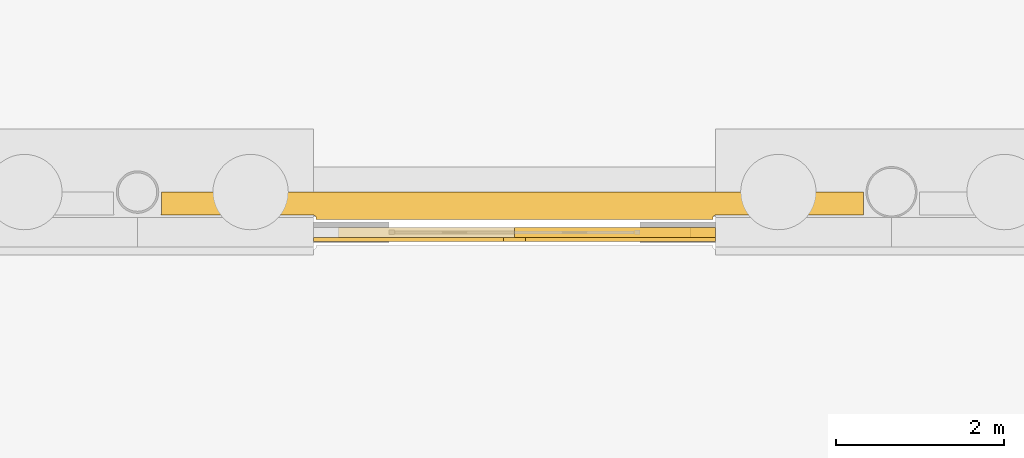
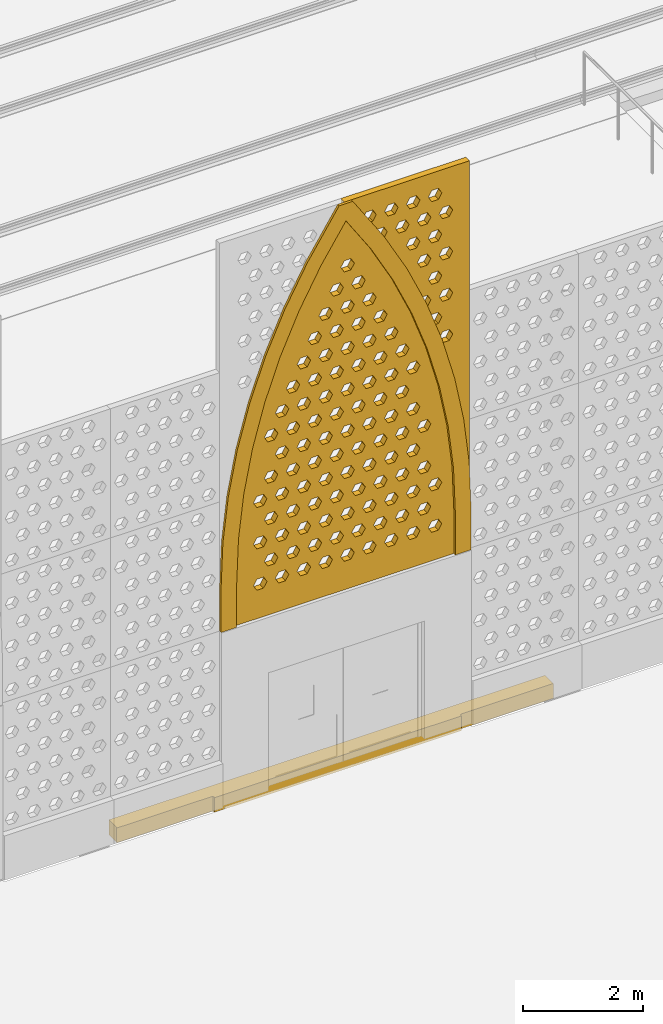
# One storey, part 210 of 250: 2 coverings, 2 shading devices.
"""IFC4 building model written with IfcOpenShell, lengths in metres."""

import ifcopenshell
import ifcopenshell.guid

model = None  # the IFC model being written
_history = None  # IfcOwnerHistory: only IFC2X3 demands one
_inside = {}  # id of a spatial element -> (the spatial element, [elements in it])
_under = {}  # id of a project, library or spatial element -> (it, [spatial elements below it])
_declared = {}  # id of a project -> (the project, [libraries it declares])
_typed = {}  # id of a type object -> (the type object, [elements of that type])
_made_of = {}  # id of a material, layer set ... -> (it, [elements and type objects made of it])


def new_model(schema):
    """Start an empty IFC model of exactly this schema.

    Asked for "IFC4X3", IfcOpenShell would pick the latest addendum, in which some entities
    have other attributes; the version numbers below select the first issue.
    IFC2X3 requires an IfcOwnerHistory on every rooted entity: one is made here for all.
    """
    global model, _history
    if schema == "IFC4X3":
        model = ifcopenshell.file(schema_version=(4, 3, 0, 0))
    else:
        model = ifcopenshell.file(schema=schema)
    _inside.clear()
    _under.clear()
    _declared.clear()
    _typed.clear()
    _made_of.clear()
    _history = None
    if model.schema == "IFC2X3":
        org = make("IfcOrganization", Name="unknown")
        user = make(
            "IfcPersonAndOrganization",
            ThePerson=make("IfcPerson", FamilyName="unknown"),
            TheOrganization=org,
        )
        app = make(
            "IfcApplication",
            ApplicationDeveloper=org,
            Version="unknown",
            ApplicationFullName="unknown",
            ApplicationIdentifier="unknown",
        )
        _history = make(
            "IfcOwnerHistory",
            OwningUser=user,
            OwningApplication=app,
            ChangeAction="ADDED",
            CreationDate=0,
        )
    return model


def make(cls, **values):
    """One entity of the class cls with the attributes given. An attribute that is None is left unset."""
    return model.create_entity(
        cls, **{name: value for name, value in values.items() if value is not None}
    )


def rooted(cls, **values):
    """An entity with a GlobalId (a new one), such as an element, a storey or a relation."""
    return make(cls, GlobalId=ifcopenshell.guid.new(), OwnerHistory=_history, **values)


def si_unit(unit_type, name, prefix=None):
    """IfcSIUnit, for example si_unit("LENGTHUNIT", "METRE", prefix="MILLI")."""
    return make("IfcSIUnit", UnitType=unit_type, Prefix=prefix, Name=name)


def assignment(units):
    """IfcUnitAssignment: the units of a project."""
    return None if units is None else make("IfcUnitAssignment", Units=units)


def point(xyz):
    """IfcCartesianPoint."""
    return None if xyz is None else make("IfcCartesianPoint", Coordinates=xyz)


def direction(xyz):
    """IfcDirection."""
    return None if xyz is None else make("IfcDirection", DirectionRatios=xyz)


def frame(location, z_axis=None, x_axis=None):
    """IfcAxis2Placement3D, a coordinate frame: its origin and axes. An axis left out is left unset."""
    return make(
        "IfcAxis2Placement3D",
        Location=point(location),
        Axis=direction(z_axis),
        RefDirection=direction(x_axis),
    )


def origin():
    """The frame at (0, 0, 0) with its axes left unset."""
    return frame((0.0, 0.0, 0.0))


def place(relative_to, where):
    """IfcLocalPlacement: puts the frame where relative to a parent placement (None: the world)."""
    return make(
        "IfcLocalPlacement", PlacementRelTo=relative_to, RelativePlacement=where
    )


def context(
    kind, dimensions, precision=None, world=None, true_north=None, identifier=None
):
    """IfcGeometricRepresentationContext, for example the 3D "Model" context."""
    return make(
        "IfcGeometricRepresentationContext",
        ContextIdentifier=identifier,
        ContextType=kind,
        CoordinateSpaceDimension=dimensions,
        Precision=precision,
        WorldCoordinateSystem=world,
        TrueNorth=true_north,
    )


def subcontext(parent, identifier, kind, view, scale=None):
    """IfcGeometricRepresentationSubContext, for example "Body" below "Model"."""
    return make(
        "IfcGeometricRepresentationSubContext",
        ContextIdentifier=identifier,
        ContextType=kind,
        ParentContext=parent,
        TargetScale=scale,
        TargetView=view,
    )


def project(units=None, contexts=None):
    """IfcProject with its units and contexts."""
    return rooted(
        "IfcProject",
        Name="project",
        RepresentationContexts=contexts,
        UnitsInContext=assignment(units),
    )


def spatial(cls, under=None, at=None, **own):
    """A site, building, storey or space (cls), placed at a placement, below another one or the project."""
    s = rooted(cls, ObjectPlacement=at, **own)
    if under is not None:
        _under.setdefault(under.id(), (under, []))[1].append(s)
    return s


def polyline(points):
    """IfcPolyline through the points."""
    return make("IfcPolyline", Points=[point(p) for p in points])


def outline(outer, holes=None, kind="AREA"):
    """IfcArbitraryClosedProfileDef: a profile drawn as a closed curve; with holes, ...WithVoids."""
    if holes is None:
        return make("IfcArbitraryClosedProfileDef", ProfileType=kind, OuterCurve=outer)
    return make(
        "IfcArbitraryProfileDefWithVoids",
        ProfileType=kind,
        OuterCurve=outer,
        InnerCurves=holes,
    )


def extrude(swept, where, along, depth):
    """IfcExtrudedAreaSolid: the profile swept, set in the frame where, extruded along a direction by depth."""
    return make(
        "IfcExtrudedAreaSolid",
        SweptArea=swept,
        Position=where,
        ExtrudedDirection=direction(along),
        Depth=depth,
    )


def shape(context_of_items, identifier, shape_type, items):
    """IfcShapeRepresentation: the items that make up one representation, for example the "Body"."""
    return make(
        "IfcShapeRepresentation",
        ContextOfItems=context_of_items,
        RepresentationIdentifier=identifier,
        RepresentationType=shape_type,
        Items=items,
    )


def material(Name=None, Category=None):
    """IfcMaterial."""
    return make("IfcMaterial", Name=Name, Category=Category)


def layer(
    of_material, thickness, ventilated=None, Name=None, Category=None, Priority=None
):
    """IfcMaterialLayer: one layer of a wall or slab, of a material (None: an air gap)."""
    return make(
        "IfcMaterialLayer",
        Material=of_material,
        LayerThickness=thickness,
        IsVentilated=ventilated,
        Name=Name,
        Category=Category,
        Priority=Priority,
    )


def layer_set(layers, Name=None):
    """IfcMaterialLayerSet."""
    return make("IfcMaterialLayerSet", MaterialLayers=layers, LayerSetName=Name)


def made_of(thing, what):
    """Note that an element or type object is made of a material, layer set ...; save() writes the relation."""
    if what is not None:
        _made_of.setdefault(what.id(), (what, []))[1].append(thing)
    return thing


def type_object(cls, material=None, **own):
    """A type object (cls), such as IfcWallType, which elements share."""
    return made_of(rooted(cls, **own), material)


def element(
    cls,
    number,
    at=None,
    inside=None,
    cuts=None,
    type_object=None,
    material=None,
    context=None,
    identifier="Body",
    shape_type=None,
    held_by="IfcProductDefinitionShape",
    body=None,
    shapes=None,
    **own,
):
    """One element of the class cls, such as IfcWall. Its Tag is "e" and its number.

    at: its placement. inside: the storey or other place that contains it. cuts: it is an
    opening in that element (IfcRelVoidsElement). A single representation is given by context,
    identifier, shape_type and body (its items); several are given by shapes. held_by: the class
    of the entity that holds the representations. save() writes the other relations.
    """
    e = rooted(cls, Tag="e%d" % number, ObjectPlacement=at, **own)
    if body is not None:
        shapes = [shape(context, identifier, shape_type, body)]
    if shapes is not None:
        e.Representation = make(held_by, Representations=shapes)
    if inside is not None:
        _inside.setdefault(inside.id(), (inside, []))[1].append(e)
    if cuts is not None:
        rooted(
            "IfcRelVoidsElement", RelatingBuildingElement=cuts, RelatedOpeningElement=e
        )
    if type_object is not None:
        _typed.setdefault(type_object.id(), (type_object, []))[1].append(e)
    return made_of(e, material)


def aggregate(whole, parts):
    """IfcRelAggregates: a whole, such as a stair, and the parts it consists of."""
    return rooted("IfcRelAggregates", RelatingObject=whole, RelatedObjects=parts)


def save(model, path):
    """Write the relations noted so far, then the file.

    IfcRelAggregates (storeys below a building ...), IfcRelContainedInSpatialStructure (elements
    in a storey), IfcRelDefinesByType, IfcRelAssociatesMaterial and IfcRelDeclares: one each for
    every whole, place, type object, material and project.
    """
    for whole, parts in _under.values():
        aggregate(whole, parts)
    for where, things in _inside.values():
        rooted(
            "IfcRelContainedInSpatialStructure",
            RelatedElements=things,
            RelatingStructure=where,
        )
    for kind, things in _typed.values():
        rooted("IfcRelDefinesByType", RelatedObjects=things, RelatingType=kind)
    for what, things in _made_of.values():
        rooted("IfcRelAssociatesMaterial", RelatedObjects=things, RelatingMaterial=what)
    for by, libraries in _declared.values():
        rooted("IfcRelDeclares", RelatingContext=by, RelatedDefinitions=libraries)
    model.write(path)


model = new_model("IFC4")

# Units and contexts
model_context = context("Model", 3, precision=1e-05, world=origin(), true_north=direction((0.0, 1.0)))
body_context = subcontext(model_context, "Body", "Model", "MODEL_VIEW")
ifc_project = project(units=[si_unit("LENGTHUNIT", "METRE"), si_unit("AREAUNIT", "SQUARE_METRE"), si_unit("VOLUMEUNIT", "CUBIC_METRE"), si_unit("PLANEANGLEUNIT", "RADIAN"), si_unit("MASSUNIT", "GRAM", prefix="KILO")], contexts=[model_context])

# Site, building, storey
site_placement = place(None, origin())
site = spatial("IfcSite", under=ifc_project, at=site_placement, CompositionType="ELEMENT")
building_placement = place(site_placement, origin())
building = spatial("IfcBuilding", under=site, at=building_placement, Name="Baradari Gate Terminus", CompositionType="ELEMENT")
storey_placement = place(building_placement, origin())
storey = spatial("IfcBuildingStorey", under=building, at=storey_placement, Name="L00", CompositionType="ELEMENT", Elevation=0.0)

# Covering
ifc_material_1 = material(Name="Laterite masonry", Category="masonry")
ifc_layer_1 = layer(ifc_material_1, 0.050048828125)
ifc_layer_set_1 = layer_set([ifc_layer_1], Name="Laterite masonry")
covering_type_1 = type_object("IfcCoveringType", Name="Arch ring RG-1 50", PredefinedType="CLADDING", material=ifc_layer_set_1)
covering_1_placement = place(storey_placement, frame((227.10009765625, 35.43505859375, 3.52490234375), z_axis=(0.0, 0.0, 1.0), x_axis=(1.0, 0.0, 0.0)))
element("IfcCovering", 1, at=covering_1_placement, inside=storey, type_object=covering_type_1, Name="Arch ring RG-1 SC08b", PredefinedType="CLADDING", context=body_context, shape_type="SweptSolid", body=[
    extrude(outline(polyline([(0.034423828125, 1.8046875), (0.0, 0.90576171875), (0.0, 0.0), (0.300048828125, 0.0), (0.300048828125, 0.900146484375), (0.333740234375, 1.78173828125), (0.435302734375, 2.658203125), (0.603515625, 3.5244140625), (0.837646484375, 4.375), (1.13623046875, 5.205322265625), (1.49755859375, 6.01025390625), (1.919677734375, 6.784912109375), (2.39990234375, 7.525146484375), (2.880126953125, 6.784912109375), (3.30224609375, 6.01025390625), (3.663818359375, 5.205322265625), (3.96240234375, 4.375), (4.196533203125, 3.5244140625), (4.36474609375, 2.658203125), (4.466064453125, 1.78173828125), (4.5, 0.900146484375), (4.5, 0.0), (4.800048828125, 0.0), (4.800048828125, 0.90576171875), (4.765380859375, 1.8046875), (4.66162109375, 2.7041015625), (4.48876953125, 3.5927734375), (4.24853515625, 4.4658203125), (3.942138671875, 5.317626953125), (3.5712890625, 6.1435546875), (3.13818359375, 6.9384765625), (2.530517578125, 7.875), (2.26953125, 7.875), (1.661865234375, 6.9384765625), (1.228759765625, 6.1435546875), (0.85791015625, 5.317626953125), (0.55126953125, 4.4658203125), (0.31103515625, 3.5927734375), (0.138427734375, 2.7041015625), (0.034423828125, 1.8046875)])), frame((0.0, 0.02490234375, 0.0), z_axis=(0.0, -1.0, 0.0), x_axis=(1.0, 0.0, 0.0)), (0.0, 0.0, 1.0), 0.050048828125),
])

# Shading devices
ifc_material_2 = material(Name="Concrete C50/60 precast", Category="concrete")
ifc_layer_2 = layer(ifc_material_2, 0.1201171875)
ifc_layer_set_2 = layer_set([ifc_layer_2], Name="Concrete C50/60 precast")
shading_device_type = type_object("IfcShadingDeviceType", Name="Jali screen panel JS-2 120", PredefinedType="SHUTTER", material=ifc_layer_set_2)
shading_device_1_placement = place(storey_placement, frame((227.39990234375, 35.52001953125, 3.52490234375), z_axis=(0.0, 0.0, 1.0), x_axis=(1.0, 0.0, 0.0)))
element("IfcShadingDevice", 2, at=shading_device_1_placement, inside=storey, type_object=shading_device_type, Name="Jali screen panel JS-2 SC08b arch A", PredefinedType="SHUTTER", context=body_context, shape_type="SweptSolid", body=[
    extrude(outline(polyline([(0.0, 0.900146484375), (0.0, 0.0), (4.199951171875, 0.0), (4.199951171875, 0.900146484375), (4.166259765625, 1.78173828125), (4.064697265625, 2.658203125), (3.896484375, 3.5244140625), (3.662353515625, 4.375), (3.36376953125, 5.205322265625), (3.00244140625, 6.01025390625), (2.580322265625, 6.784912109375), (2.10009765625, 7.525146484375), (1.619873046875, 6.784912109375), (1.19775390625, 6.01025390625), (0.836181640625, 5.205322265625), (0.53759765625, 4.375), (0.303466796875, 3.5244140625), (0.13525390625, 2.658203125), (0.033935546875, 1.78173828125), (0.0, 0.900146484375)]), holes=[polyline([(0.610107421875, 0.690185546875), (0.544921875, 0.57763671875), (0.4150390625, 0.57763671875), (0.35009765625, 0.690185546875), (0.4150390625, 0.802734375), (0.544921875, 0.802734375), (0.610107421875, 0.690185546875)]), polyline([(1.030029296875, 0.690185546875), (0.965087890625, 0.57763671875), (0.8349609375, 0.57763671875), (0.77001953125, 0.690185546875), (0.8349609375, 0.802734375), (0.965087890625, 0.802734375), (1.030029296875, 0.690185546875)]), polyline([(1.449951171875, 0.690185546875), (1.385009765625, 0.57763671875), (1.2548828125, 0.57763671875), (1.18994140625, 0.690185546875), (1.2548828125, 0.802734375), (1.385009765625, 0.802734375), (1.449951171875, 0.690185546875)]), polyline([(1.8701171875, 0.690185546875), (1.804931640625, 0.57763671875), (1.675048828125, 0.57763671875), (1.610107421875, 0.690185546875), (1.675048828125, 0.802734375), (1.804931640625, 0.802734375), (1.8701171875, 0.690185546875)]), polyline([(2.2900390625, 0.690185546875), (2.22509765625, 0.57763671875), (2.094970703125, 0.57763671875), (2.030029296875, 0.690185546875), (2.094970703125, 0.802734375), (2.22509765625, 0.802734375), (2.2900390625, 0.690185546875)]), polyline([(2.7099609375, 0.690185546875), (2.64501953125, 0.57763671875), (2.514892578125, 0.57763671875), (2.449951171875, 0.690185546875), (2.514892578125, 0.802734375), (2.64501953125, 0.802734375), (2.7099609375, 0.690185546875)]), polyline([(3.1298828125, 0.690185546875), (3.06494140625, 0.57763671875), (2.93505859375, 0.57763671875), (2.8701171875, 0.690185546875), (2.93505859375, 0.802734375), (3.06494140625, 0.802734375), (3.1298828125, 0.690185546875)]), polyline([(3.550048828125, 0.690185546875), (3.485107421875, 0.57763671875), (3.35498046875, 0.57763671875), (3.2900390625, 0.690185546875), (3.35498046875, 0.802734375), (3.485107421875, 0.802734375), (3.550048828125, 0.690185546875)]), polyline([(3.969970703125, 0.690185546875), (3.905029296875, 0.57763671875), (3.77490234375, 0.57763671875), (3.7099609375, 0.690185546875), (3.77490234375, 0.802734375), (3.905029296875, 0.802734375), (3.969970703125, 0.690185546875)]), polyline([(0.820068359375, 1.110107421875), (0.7548828125, 0.99755859375), (0.625, 0.99755859375), (0.56005859375, 1.110107421875), (0.625, 1.22265625), (0.7548828125, 1.22265625), (0.820068359375, 1.110107421875)]), polyline([(1.239990234375, 1.110107421875), (1.175048828125, 0.99755859375), (1.044921875, 0.99755859375), (0.97998046875, 1.110107421875), (1.044921875, 1.22265625), (1.175048828125, 1.22265625), (1.239990234375, 1.110107421875)]), polyline([(1.659912109375, 1.110107421875), (1.594970703125, 0.99755859375), (1.465087890625, 0.99755859375), (1.39990234375, 1.110107421875), (1.465087890625, 1.22265625), (1.594970703125, 1.22265625), (1.659912109375, 1.110107421875)]), polyline([(2.080078125, 1.110107421875), (2.014892578125, 0.99755859375), (1.885009765625, 0.99755859375), (1.820068359375, 1.110107421875), (1.885009765625, 1.22265625), (2.014892578125, 1.22265625), (2.080078125, 1.110107421875)]), polyline([(2.5, 1.110107421875), (2.43505859375, 0.99755859375), (2.304931640625, 0.99755859375), (2.239990234375, 1.110107421875), (2.304931640625, 1.22265625), (2.43505859375, 1.22265625), (2.5, 1.110107421875)]), polyline([(2.919921875, 1.110107421875), (2.85498046875, 0.99755859375), (2.72509765625, 0.99755859375), (2.659912109375, 1.110107421875), (2.72509765625, 1.22265625), (2.85498046875, 1.22265625), (2.919921875, 1.110107421875)]), polyline([(3.340087890625, 1.110107421875), (3.27490234375, 0.99755859375), (3.14501953125, 0.99755859375), (3.080078125, 1.110107421875), (3.14501953125, 1.22265625), (3.27490234375, 1.22265625), (3.340087890625, 1.110107421875)]), polyline([(3.760009765625, 1.110107421875), (3.695068359375, 0.99755859375), (3.56494140625, 0.99755859375), (3.5, 1.110107421875), (3.56494140625, 1.22265625), (3.695068359375, 1.22265625), (3.760009765625, 1.110107421875)]), polyline([(0.610107421875, 1.530029296875), (0.544921875, 1.41748046875), (0.4150390625, 1.41748046875), (0.35009765625, 1.530029296875), (0.4150390625, 1.642578125), (0.544921875, 1.642578125), (0.610107421875, 1.530029296875)]), polyline([(1.030029296875, 1.530029296875), (0.965087890625, 1.41748046875), (0.8349609375, 1.41748046875), (0.77001953125, 1.530029296875), (0.8349609375, 1.642578125), (0.965087890625, 1.642578125), (1.030029296875, 1.530029296875)]), polyline([(1.449951171875, 1.530029296875), (1.385009765625, 1.41748046875), (1.2548828125, 1.41748046875), (1.18994140625, 1.530029296875), (1.2548828125, 1.642578125), (1.385009765625, 1.642578125), (1.449951171875, 1.530029296875)]), polyline([(1.8701171875, 1.530029296875), (1.804931640625, 1.41748046875), (1.675048828125, 1.41748046875), (1.610107421875, 1.530029296875), (1.675048828125, 1.642578125), (1.804931640625, 1.642578125), (1.8701171875, 1.530029296875)]), polyline([(2.2900390625, 1.530029296875), (2.22509765625, 1.41748046875), (2.094970703125, 1.41748046875), (2.030029296875, 1.530029296875), (2.094970703125, 1.642578125), (2.22509765625, 1.642578125), (2.2900390625, 1.530029296875)]), polyline([(2.7099609375, 1.530029296875), (2.64501953125, 1.41748046875), (2.514892578125, 1.41748046875), (2.449951171875, 1.530029296875), (2.514892578125, 1.642578125), (2.64501953125, 1.642578125), (2.7099609375, 1.530029296875)]), polyline([(3.1298828125, 1.530029296875), (3.06494140625, 1.41748046875), (2.93505859375, 1.41748046875), (2.8701171875, 1.530029296875), (2.93505859375, 1.642578125), (3.06494140625, 1.642578125), (3.1298828125, 1.530029296875)]), polyline([(3.550048828125, 1.530029296875), (3.485107421875, 1.41748046875), (3.35498046875, 1.41748046875), (3.2900390625, 1.530029296875), (3.35498046875, 1.642578125), (3.485107421875, 1.642578125), (3.550048828125, 1.530029296875)]), polyline([(3.969970703125, 1.530029296875), (3.905029296875, 1.41748046875), (3.77490234375, 1.41748046875), (3.7099609375, 1.530029296875), (3.77490234375, 1.642578125), (3.905029296875, 1.642578125), (3.969970703125, 1.530029296875)]), polyline([(0.820068359375, 1.9501953125), (0.7548828125, 1.83740234375), (0.625, 1.83740234375), (0.56005859375, 1.9501953125), (0.625, 2.062744140625), (0.7548828125, 2.062744140625), (0.820068359375, 1.9501953125)]), polyline([(1.239990234375, 1.9501953125), (1.175048828125, 1.83740234375), (1.044921875, 1.83740234375), (0.97998046875, 1.9501953125), (1.044921875, 2.062744140625), (1.175048828125, 2.062744140625), (1.239990234375, 1.9501953125)]), polyline([(1.659912109375, 1.9501953125), (1.594970703125, 1.83740234375), (1.465087890625, 1.83740234375), (1.39990234375, 1.9501953125), (1.465087890625, 2.062744140625), (1.594970703125, 2.062744140625), (1.659912109375, 1.9501953125)]), polyline([(2.080078125, 1.9501953125), (2.014892578125, 1.83740234375), (1.885009765625, 1.83740234375), (1.820068359375, 1.9501953125), (1.885009765625, 2.062744140625), (2.014892578125, 2.062744140625), (2.080078125, 1.9501953125)]), polyline([(2.5, 1.9501953125), (2.43505859375, 1.83740234375), (2.304931640625, 1.83740234375), (2.239990234375, 1.9501953125), (2.304931640625, 2.062744140625), (2.43505859375, 2.062744140625), (2.5, 1.9501953125)]), polyline([(2.919921875, 1.9501953125), (2.85498046875, 1.83740234375), (2.72509765625, 1.83740234375), (2.659912109375, 1.9501953125), (2.72509765625, 2.062744140625), (2.85498046875, 2.062744140625), (2.919921875, 1.9501953125)]), polyline([(3.340087890625, 1.9501953125), (3.27490234375, 1.83740234375), (3.14501953125, 1.83740234375), (3.080078125, 1.9501953125), (3.14501953125, 2.062744140625), (3.27490234375, 2.062744140625), (3.340087890625, 1.9501953125)]), polyline([(3.760009765625, 1.9501953125), (3.695068359375, 1.83740234375), (3.56494140625, 1.83740234375), (3.5, 1.9501953125), (3.56494140625, 2.062744140625), (3.695068359375, 2.062744140625), (3.760009765625, 1.9501953125)]), polyline([(0.610107421875, 2.3701171875), (0.544921875, 2.257568359375), (0.4150390625, 2.257568359375), (0.35009765625, 2.3701171875), (0.4150390625, 2.482666015625), (0.544921875, 2.482666015625), (0.610107421875, 2.3701171875)]), polyline([(1.030029296875, 2.3701171875), (0.965087890625, 2.257568359375), (0.8349609375, 2.257568359375), (0.77001953125, 2.3701171875), (0.8349609375, 2.482666015625), (0.965087890625, 2.482666015625), (1.030029296875, 2.3701171875)]), polyline([(1.449951171875, 2.3701171875), (1.385009765625, 2.257568359375), (1.2548828125, 2.257568359375), (1.18994140625, 2.3701171875), (1.2548828125, 2.482666015625), (1.385009765625, 2.482666015625), (1.449951171875, 2.3701171875)]), polyline([(1.8701171875, 2.3701171875), (1.804931640625, 2.257568359375), (1.675048828125, 2.257568359375), (1.610107421875, 2.3701171875), (1.675048828125, 2.482666015625), (1.804931640625, 2.482666015625), (1.8701171875, 2.3701171875)]), polyline([(2.2900390625, 2.3701171875), (2.22509765625, 2.257568359375), (2.094970703125, 2.257568359375), (2.030029296875, 2.3701171875), (2.094970703125, 2.482666015625), (2.22509765625, 2.482666015625), (2.2900390625, 2.3701171875)]), polyline([(2.7099609375, 2.3701171875), (2.64501953125, 2.257568359375), (2.514892578125, 2.257568359375), (2.449951171875, 2.3701171875), (2.514892578125, 2.482666015625), (2.64501953125, 2.482666015625), (2.7099609375, 2.3701171875)]), polyline([(3.1298828125, 2.3701171875), (3.06494140625, 2.257568359375), (2.93505859375, 2.257568359375), (2.8701171875, 2.3701171875), (2.93505859375, 2.482666015625), (3.06494140625, 2.482666015625), (3.1298828125, 2.3701171875)]), polyline([(3.550048828125, 2.3701171875), (3.485107421875, 2.257568359375), (3.35498046875, 2.257568359375), (3.2900390625, 2.3701171875), (3.35498046875, 2.482666015625), (3.485107421875, 2.482666015625), (3.550048828125, 2.3701171875)]), polyline([(0.820068359375, 2.7900390625), (0.7548828125, 2.677490234375), (0.625, 2.677490234375), (0.56005859375, 2.7900390625), (0.625, 2.902587890625), (0.7548828125, 2.902587890625), (0.820068359375, 2.7900390625)]), polyline([(1.239990234375, 2.7900390625), (1.175048828125, 2.677490234375), (1.044921875, 2.677490234375), (0.97998046875, 2.7900390625), (1.044921875, 2.902587890625), (1.175048828125, 2.902587890625), (1.239990234375, 2.7900390625)]), polyline([(1.659912109375, 2.7900390625), (1.594970703125, 2.677490234375), (1.465087890625, 2.677490234375), (1.39990234375, 2.7900390625), (1.465087890625, 2.902587890625), (1.594970703125, 2.902587890625), (1.659912109375, 2.7900390625)]), polyline([(2.080078125, 2.7900390625), (2.014892578125, 2.677490234375), (1.885009765625, 2.677490234375), (1.820068359375, 2.7900390625), (1.885009765625, 2.902587890625), (2.014892578125, 2.902587890625), (2.080078125, 2.7900390625)]), polyline([(2.5, 2.7900390625), (2.43505859375, 2.677490234375), (2.304931640625, 2.677490234375), (2.239990234375, 2.7900390625), (2.304931640625, 2.902587890625), (2.43505859375, 2.902587890625), (2.5, 2.7900390625)]), polyline([(2.919921875, 2.7900390625), (2.85498046875, 2.677490234375), (2.72509765625, 2.677490234375), (2.659912109375, 2.7900390625), (2.72509765625, 2.902587890625), (2.85498046875, 2.902587890625), (2.919921875, 2.7900390625)]), polyline([(3.340087890625, 2.7900390625), (3.27490234375, 2.677490234375), (3.14501953125, 2.677490234375), (3.080078125, 2.7900390625), (3.14501953125, 2.902587890625), (3.27490234375, 2.902587890625), (3.340087890625, 2.7900390625)]), polyline([(3.760009765625, 2.7900390625), (3.695068359375, 2.677490234375), (3.56494140625, 2.677490234375), (3.5, 2.7900390625), (3.56494140625, 2.902587890625), (3.695068359375, 2.902587890625), (3.760009765625, 2.7900390625)]), polyline([(1.030029296875, 3.210205078125), (0.965087890625, 3.097412109375), (0.8349609375, 3.097412109375), (0.77001953125, 3.210205078125), (0.8349609375, 3.32275390625), (0.965087890625, 3.32275390625), (1.030029296875, 3.210205078125)]), polyline([(1.449951171875, 3.210205078125), (1.385009765625, 3.097412109375), (1.2548828125, 3.097412109375), (1.18994140625, 3.210205078125), (1.2548828125, 3.32275390625), (1.385009765625, 3.32275390625), (1.449951171875, 3.210205078125)]), polyline([(1.8701171875, 3.210205078125), (1.804931640625, 3.097412109375), (1.675048828125, 3.097412109375), (1.610107421875, 3.210205078125), (1.675048828125, 3.32275390625), (1.804931640625, 3.32275390625), (1.8701171875, 3.210205078125)]), polyline([(2.2900390625, 3.210205078125), (2.22509765625, 3.097412109375), (2.094970703125, 3.097412109375), (2.030029296875, 3.210205078125), (2.094970703125, 3.32275390625), (2.22509765625, 3.32275390625), (2.2900390625, 3.210205078125)]), polyline([(2.7099609375, 3.210205078125), (2.64501953125, 3.097412109375), (2.514892578125, 3.097412109375), (2.449951171875, 3.210205078125), (2.514892578125, 3.32275390625), (2.64501953125, 3.32275390625), (2.7099609375, 3.210205078125)]), polyline([(3.1298828125, 3.210205078125), (3.06494140625, 3.097412109375), (2.93505859375, 3.097412109375), (2.8701171875, 3.210205078125), (2.93505859375, 3.32275390625), (3.06494140625, 3.32275390625), (3.1298828125, 3.210205078125)]), polyline([(3.550048828125, 3.210205078125), (3.485107421875, 3.097412109375), (3.35498046875, 3.097412109375), (3.2900390625, 3.210205078125), (3.35498046875, 3.32275390625), (3.485107421875, 3.32275390625), (3.550048828125, 3.210205078125)]), polyline([(0.820068359375, 3.630126953125), (0.7548828125, 3.517578125), (0.625, 3.517578125), (0.56005859375, 3.630126953125), (0.625, 3.74267578125), (0.7548828125, 3.74267578125), (0.820068359375, 3.630126953125)]), polyline([(1.239990234375, 3.630126953125), (1.175048828125, 3.517578125), (1.044921875, 3.517578125), (0.97998046875, 3.630126953125), (1.044921875, 3.74267578125), (1.175048828125, 3.74267578125), (1.239990234375, 3.630126953125)]), polyline([(1.659912109375, 3.630126953125), (1.594970703125, 3.517578125), (1.465087890625, 3.517578125), (1.39990234375, 3.630126953125), (1.465087890625, 3.74267578125), (1.594970703125, 3.74267578125), (1.659912109375, 3.630126953125)]), polyline([(2.080078125, 3.630126953125), (2.014892578125, 3.517578125), (1.885009765625, 3.517578125), (1.820068359375, 3.630126953125), (1.885009765625, 3.74267578125), (2.014892578125, 3.74267578125), (2.080078125, 3.630126953125)]), polyline([(2.5, 3.630126953125), (2.43505859375, 3.517578125), (2.304931640625, 3.517578125), (2.239990234375, 3.630126953125), (2.304931640625, 3.74267578125), (2.43505859375, 3.74267578125), (2.5, 3.630126953125)]), polyline([(2.919921875, 3.630126953125), (2.85498046875, 3.517578125), (2.72509765625, 3.517578125), (2.659912109375, 3.630126953125), (2.72509765625, 3.74267578125), (2.85498046875, 3.74267578125), (2.919921875, 3.630126953125)]), polyline([(3.340087890625, 3.630126953125), (3.27490234375, 3.517578125), (3.14501953125, 3.517578125), (3.080078125, 3.630126953125), (3.14501953125, 3.74267578125), (3.27490234375, 3.74267578125), (3.340087890625, 3.630126953125)]), polyline([(1.030029296875, 4.050048828125), (0.965087890625, 3.9375), (0.8349609375, 3.9375), (0.77001953125, 4.050048828125), (0.8349609375, 4.16259765625), (0.965087890625, 4.16259765625), (1.030029296875, 4.050048828125)]), polyline([(1.449951171875, 4.050048828125), (1.385009765625, 3.9375), (1.2548828125, 3.9375), (1.18994140625, 4.050048828125), (1.2548828125, 4.16259765625), (1.385009765625, 4.16259765625), (1.449951171875, 4.050048828125)]), polyline([(1.8701171875, 4.050048828125), (1.804931640625, 3.9375), (1.675048828125, 3.9375), (1.610107421875, 4.050048828125), (1.675048828125, 4.16259765625), (1.804931640625, 4.16259765625), (1.8701171875, 4.050048828125)]), polyline([(2.2900390625, 4.050048828125), (2.22509765625, 3.9375), (2.094970703125, 3.9375), (2.030029296875, 4.050048828125), (2.094970703125, 4.16259765625), (2.22509765625, 4.16259765625), (2.2900390625, 4.050048828125)]), polyline([(2.7099609375, 4.050048828125), (2.64501953125, 3.9375), (2.514892578125, 3.9375), (2.449951171875, 4.050048828125), (2.514892578125, 4.16259765625), (2.64501953125, 4.16259765625), (2.7099609375, 4.050048828125)]), polyline([(3.1298828125, 4.050048828125), (3.06494140625, 3.9375), (2.93505859375, 3.9375), (2.8701171875, 4.050048828125), (2.93505859375, 4.16259765625), (3.06494140625, 4.16259765625), (3.1298828125, 4.050048828125)]), polyline([(3.550048828125, 4.050048828125), (3.485107421875, 3.9375), (3.35498046875, 3.9375), (3.2900390625, 4.050048828125), (3.35498046875, 4.16259765625), (3.485107421875, 4.16259765625), (3.550048828125, 4.050048828125)]), polyline([(1.239990234375, 4.47021484375), (1.175048828125, 4.357421875), (1.044921875, 4.357421875), (0.97998046875, 4.47021484375), (1.044921875, 4.582763671875), (1.175048828125, 4.582763671875), (1.239990234375, 4.47021484375)]), polyline([(1.659912109375, 4.47021484375), (1.594970703125, 4.357421875), (1.465087890625, 4.357421875), (1.39990234375, 4.47021484375), (1.465087890625, 4.582763671875), (1.594970703125, 4.582763671875), (1.659912109375, 4.47021484375)]), polyline([(2.080078125, 4.47021484375), (2.014892578125, 4.357421875), (1.885009765625, 4.357421875), (1.820068359375, 4.47021484375), (1.885009765625, 4.582763671875), (2.014892578125, 4.582763671875), (2.080078125, 4.47021484375)]), polyline([(2.5, 4.47021484375), (2.43505859375, 4.357421875), (2.304931640625, 4.357421875), (2.239990234375, 4.47021484375), (2.304931640625, 4.582763671875), (2.43505859375, 4.582763671875), (2.5, 4.47021484375)]), polyline([(2.919921875, 4.47021484375), (2.85498046875, 4.357421875), (2.72509765625, 4.357421875), (2.659912109375, 4.47021484375), (2.72509765625, 4.582763671875), (2.85498046875, 4.582763671875), (2.919921875, 4.47021484375)]), polyline([(3.340087890625, 4.47021484375), (3.27490234375, 4.357421875), (3.14501953125, 4.357421875), (3.080078125, 4.47021484375), (3.14501953125, 4.582763671875), (3.27490234375, 4.582763671875), (3.340087890625, 4.47021484375)]), polyline([(1.449951171875, 4.89013671875), (1.385009765625, 4.777587890625), (1.2548828125, 4.777587890625), (1.18994140625, 4.89013671875), (1.2548828125, 5.002685546875), (1.385009765625, 5.002685546875), (1.449951171875, 4.89013671875)]), polyline([(1.8701171875, 4.89013671875), (1.804931640625, 4.777587890625), (1.675048828125, 4.777587890625), (1.610107421875, 4.89013671875), (1.675048828125, 5.002685546875), (1.804931640625, 5.002685546875), (1.8701171875, 4.89013671875)]), polyline([(2.2900390625, 4.89013671875), (2.22509765625, 4.777587890625), (2.094970703125, 4.777587890625), (2.030029296875, 4.89013671875), (2.094970703125, 5.002685546875), (2.22509765625, 5.002685546875), (2.2900390625, 4.89013671875)]), polyline([(2.7099609375, 4.89013671875), (2.64501953125, 4.777587890625), (2.514892578125, 4.777587890625), (2.449951171875, 4.89013671875), (2.514892578125, 5.002685546875), (2.64501953125, 5.002685546875), (2.7099609375, 4.89013671875)]), polyline([(3.1298828125, 4.89013671875), (3.06494140625, 4.777587890625), (2.93505859375, 4.777587890625), (2.8701171875, 4.89013671875), (2.93505859375, 5.002685546875), (3.06494140625, 5.002685546875), (3.1298828125, 4.89013671875)]), polyline([(1.659912109375, 5.31005859375), (1.594970703125, 5.197509765625), (1.465087890625, 5.197509765625), (1.39990234375, 5.31005859375), (1.465087890625, 5.422607421875), (1.594970703125, 5.422607421875), (1.659912109375, 5.31005859375)]), polyline([(2.080078125, 5.31005859375), (2.014892578125, 5.197509765625), (1.885009765625, 5.197509765625), (1.820068359375, 5.31005859375), (1.885009765625, 5.422607421875), (2.014892578125, 5.422607421875), (2.080078125, 5.31005859375)]), polyline([(2.5, 5.31005859375), (2.43505859375, 5.197509765625), (2.304931640625, 5.197509765625), (2.239990234375, 5.31005859375), (2.304931640625, 5.422607421875), (2.43505859375, 5.422607421875), (2.5, 5.31005859375)]), polyline([(2.919921875, 5.31005859375), (2.85498046875, 5.197509765625), (2.72509765625, 5.197509765625), (2.659912109375, 5.31005859375), (2.72509765625, 5.422607421875), (2.85498046875, 5.422607421875), (2.919921875, 5.31005859375)]), polyline([(1.8701171875, 5.72998046875), (1.804931640625, 5.617431640625), (1.675048828125, 5.617431640625), (1.610107421875, 5.72998046875), (1.675048828125, 5.8427734375), (1.804931640625, 5.8427734375), (1.8701171875, 5.72998046875)]), polyline([(2.2900390625, 5.72998046875), (2.22509765625, 5.617431640625), (2.094970703125, 5.617431640625), (2.030029296875, 5.72998046875), (2.094970703125, 5.8427734375), (2.22509765625, 5.8427734375), (2.2900390625, 5.72998046875)]), polyline([(2.7099609375, 5.72998046875), (2.64501953125, 5.617431640625), (2.514892578125, 5.617431640625), (2.449951171875, 5.72998046875), (2.514892578125, 5.8427734375), (2.64501953125, 5.8427734375), (2.7099609375, 5.72998046875)]), polyline([(2.080078125, 6.150146484375), (2.014892578125, 6.03759765625), (1.885009765625, 6.03759765625), (1.820068359375, 6.150146484375), (1.885009765625, 6.2626953125), (2.014892578125, 6.2626953125), (2.080078125, 6.150146484375)]), polyline([(2.5, 6.150146484375), (2.43505859375, 6.03759765625), (2.304931640625, 6.03759765625), (2.239990234375, 6.150146484375), (2.304931640625, 6.2626953125), (2.43505859375, 6.2626953125), (2.5, 6.150146484375)]), polyline([(2.2900390625, 6.570068359375), (2.22509765625, 6.45751953125), (2.094970703125, 6.45751953125), (2.030029296875, 6.570068359375), (2.094970703125, 6.6826171875), (2.22509765625, 6.6826171875), (2.2900390625, 6.570068359375)])]), frame((0.0, 0.06005859375, 0.0), z_axis=(0.0, -1.0, 0.0), x_axis=(1.0, 0.0, 0.0)), (0.0, 0.0, 1.0), 0.1201171875),
])
shading_device_2_placement = place(storey_placement, frame((229.5, 35.52001953125, 3.52490234375), z_axis=(0.0, 0.0, 1.0), x_axis=(1.0, 0.0, 0.0)))
element("IfcShadingDevice", 3, at=shading_device_2_placement, inside=storey, type_object=shading_device_type, Name="Jali screen panel JS-2 SC08b arch R1", PredefinedType="SHUTTER", context=body_context, shape_type="SweptSolid", body=[
    extrude(outline(polyline([(0.0, 7.875), (0.0, 7.525146484375), (0.480224609375, 6.784912109375), (0.90234375, 6.01025390625), (1.263671875, 5.205322265625), (1.5625, 4.375), (1.796630859375, 3.5244140625), (1.96484375, 2.658203125), (2.066162109375, 1.78173828125), (2.10009765625, 0.900146484375), (2.10009765625, 0.0), (2.39990234375, 0.0), (2.39990234375, 7.875), (0.0, 7.875)]), holes=[polyline([(2.080078125, 4.47021484375), (2.014892578125, 4.357421875), (1.885009765625, 4.357421875), (1.820068359375, 4.47021484375), (1.885009765625, 4.582763671875), (2.014892578125, 4.582763671875), (2.080078125, 4.47021484375)]), polyline([(1.8701171875, 4.89013671875), (1.804931640625, 4.777587890625), (1.675048828125, 4.777587890625), (1.610107421875, 4.89013671875), (1.675048828125, 5.002685546875), (1.804931640625, 5.002685546875), (1.8701171875, 4.89013671875)]), polyline([(1.659912109375, 5.31005859375), (1.594970703125, 5.197509765625), (1.465087890625, 5.197509765625), (1.39990234375, 5.31005859375), (1.465087890625, 5.422607421875), (1.594970703125, 5.422607421875), (1.659912109375, 5.31005859375)]), polyline([(2.080078125, 5.31005859375), (2.014892578125, 5.197509765625), (1.885009765625, 5.197509765625), (1.820068359375, 5.31005859375), (1.885009765625, 5.422607421875), (2.014892578125, 5.422607421875), (2.080078125, 5.31005859375)]), polyline([(1.8701171875, 5.72998046875), (1.804931640625, 5.617431640625), (1.675048828125, 5.617431640625), (1.610107421875, 5.72998046875), (1.675048828125, 5.8427734375), (1.804931640625, 5.8427734375), (1.8701171875, 5.72998046875)]), polyline([(1.659912109375, 6.150146484375), (1.594970703125, 6.03759765625), (1.465087890625, 6.03759765625), (1.39990234375, 6.150146484375), (1.465087890625, 6.2626953125), (1.594970703125, 6.2626953125), (1.659912109375, 6.150146484375)]), polyline([(2.080078125, 6.150146484375), (2.014892578125, 6.03759765625), (1.885009765625, 6.03759765625), (1.820068359375, 6.150146484375), (1.885009765625, 6.2626953125), (2.014892578125, 6.2626953125), (2.080078125, 6.150146484375)]), polyline([(1.449951171875, 6.570068359375), (1.385009765625, 6.45751953125), (1.2548828125, 6.45751953125), (1.18994140625, 6.570068359375), (1.2548828125, 6.6826171875), (1.385009765625, 6.6826171875), (1.449951171875, 6.570068359375)]), polyline([(1.8701171875, 6.570068359375), (1.804931640625, 6.45751953125), (1.675048828125, 6.45751953125), (1.610107421875, 6.570068359375), (1.675048828125, 6.6826171875), (1.804931640625, 6.6826171875), (1.8701171875, 6.570068359375)]), polyline([(0.820068359375, 6.989990234375), (0.7548828125, 6.87744140625), (0.625, 6.87744140625), (0.56005859375, 6.989990234375), (0.625, 7.102783203125), (0.7548828125, 7.102783203125), (0.820068359375, 6.989990234375)]), polyline([(1.239990234375, 6.989990234375), (1.175048828125, 6.87744140625), (1.044921875, 6.87744140625), (0.97998046875, 6.989990234375), (1.044921875, 7.102783203125), (1.175048828125, 7.102783203125), (1.239990234375, 6.989990234375)]), polyline([(1.659912109375, 6.989990234375), (1.594970703125, 6.87744140625), (1.465087890625, 6.87744140625), (1.39990234375, 6.989990234375), (1.465087890625, 7.102783203125), (1.594970703125, 7.102783203125), (1.659912109375, 6.989990234375)]), polyline([(2.080078125, 6.989990234375), (2.014892578125, 6.87744140625), (1.885009765625, 6.87744140625), (1.820068359375, 6.989990234375), (1.885009765625, 7.102783203125), (2.014892578125, 7.102783203125), (2.080078125, 6.989990234375)]), polyline([(0.610107421875, 7.41015625), (0.544921875, 7.297607421875), (0.4150390625, 7.297607421875), (0.35009765625, 7.41015625), (0.4150390625, 7.522705078125), (0.544921875, 7.522705078125), (0.610107421875, 7.41015625)]), polyline([(1.030029296875, 7.41015625), (0.965087890625, 7.297607421875), (0.8349609375, 7.297607421875), (0.77001953125, 7.41015625), (0.8349609375, 7.522705078125), (0.965087890625, 7.522705078125), (1.030029296875, 7.41015625)]), polyline([(1.449951171875, 7.41015625), (1.385009765625, 7.297607421875), (1.2548828125, 7.297607421875), (1.18994140625, 7.41015625), (1.2548828125, 7.522705078125), (1.385009765625, 7.522705078125), (1.449951171875, 7.41015625)]), polyline([(1.8701171875, 7.41015625), (1.804931640625, 7.297607421875), (1.675048828125, 7.297607421875), (1.610107421875, 7.41015625), (1.675048828125, 7.522705078125), (1.804931640625, 7.522705078125), (1.8701171875, 7.41015625)])]), frame((0.0, 0.06005859375, 0.0), z_axis=(0.0, -1.0, 0.0), x_axis=(1.0, 0.0, 0.0)), (0.0, 0.0, 1.0), 0.1201171875),
])

# Covering
ifc_material_3 = material(Name="Planted lawn")
ifc_layer_3 = layer(ifc_material_3, 0.300048828125)
ifc_layer_set_3 = layer_set([ifc_layer_3], Name="Planted lawn")
covering_type_2 = type_object("IfcCoveringType", Name="Planted lawn bed LW-1 300", PredefinedType="USERDEFINED", material=ifc_layer_set_3)
covering_2_placement = place(storey_placement, frame((0.0, 0.0, -0.300048828125)))
element("IfcCovering", 4, at=covering_2_placement, inside=storey, type_object=covering_type_2, Name="Planted lawn 11", ObjectType="LAWN", PredefinedType="USERDEFINED", context=body_context, shape_type="SweptSolid", body=[
    extrude(outline(polyline([(225.280517578125, 35.73193359375), (225.279052734375, 35.729248046875), (225.277099609375, 35.72705078125), (225.275390625, 35.72509765625), (227.10009765625, 35.72509765625), (227.10302734375, 35.724853515625), (227.10595703125, 35.724365234375), (227.108642578125, 35.7236328125), (227.111572265625, 35.72265625), (227.1142578125, 35.721435546875), (227.11669921875, 35.719970703125), (227.119140625, 35.71826171875), (227.12109375, 35.71630859375), (227.123291015625, 35.714111328125), (227.125, 35.711669921875), (227.12646484375, 35.709228515625), (227.127685546875, 35.70654296875), (227.128662109375, 35.70361328125), (227.12939453125, 35.700927734375), (227.1298828125, 35.697998046875), (227.1298828125, 35.695068359375), (227.1298828125, 35.675048828125), (231.8701171875, 35.675048828125), (231.8701171875, 35.695068359375), (231.8701171875, 35.697998046875), (231.87060546875, 35.700927734375), (231.871337890625, 35.70361328125), (231.872314453125, 35.70654296875), (231.87353515625, 35.709228515625), (231.875, 35.711669921875), (231.876708984375, 35.714111328125), (231.87890625, 35.71630859375), (231.880859375, 35.71826171875), (231.88330078125, 35.719970703125), (231.8857421875, 35.721435546875), (231.888427734375, 35.72265625), (231.891357421875, 35.7236328125), (231.89404296875, 35.724365234375), (231.89697265625, 35.724853515625), (231.89990234375, 35.72509765625), (233.6650390625, 35.72509765625), (233.6650390625, 36.0), (225.283935546875, 36.0), (225.283935546875, 35.74609375), (225.283935546875, 35.7431640625), (225.283447265625, 35.740234375), (225.28271484375, 35.7373046875), (225.28173828125, 35.734619140625), (225.280517578125, 35.73193359375)])), origin(), (0.0, 0.0, 1.0), 0.300048828125),
])

save(model, "model.ifc")
